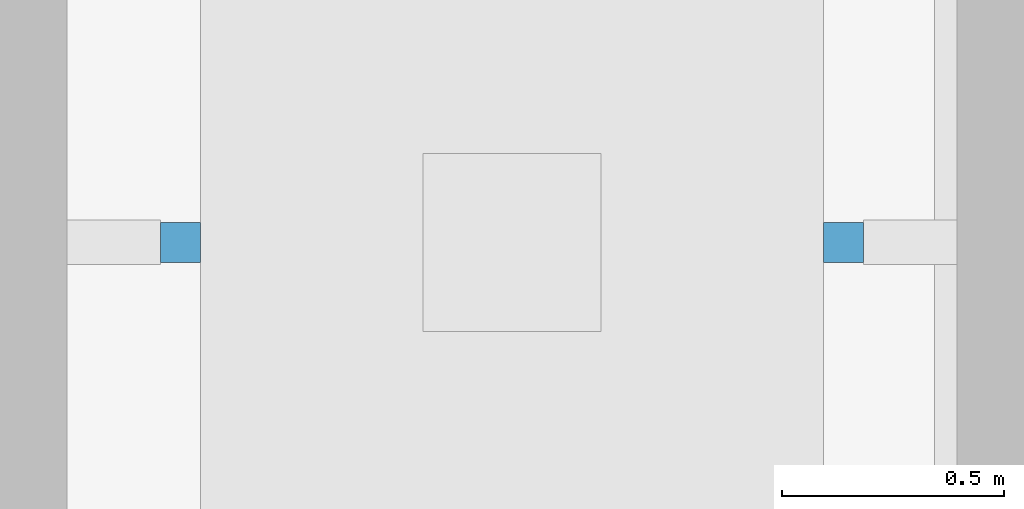
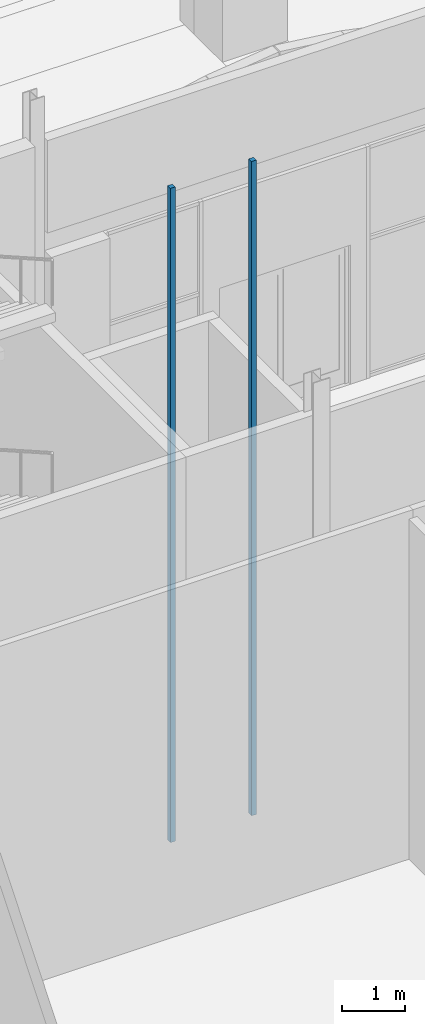
# One storey, part 156 of 250: 2 discrete accessories.
"""IFC4 building model written with IfcOpenShell, lengths in metres."""

from ifc_helpers import new_model, si_unit, direction, frame, origin, origin_2d, place, context, subcontext, project, spatial, rectangle, extrude, material, type_object, element, save


model = new_model("IFC4")

# Units and contexts
model_context = context("Model", 3, precision=1e-05, world=origin(), true_north=direction((0.0, 1.0)))
body_context = subcontext(model_context, "Body", "Model", "MODEL_VIEW")
ifc_project = project(units=[si_unit("LENGTHUNIT", "METRE"), si_unit("AREAUNIT", "SQUARE_METRE"), si_unit("VOLUMEUNIT", "CUBIC_METRE"), si_unit("PLANEANGLEUNIT", "RADIAN"), si_unit("MASSUNIT", "GRAM", prefix="KILO")], contexts=[model_context])

# Site, building, storey
site_placement = place(None, origin())
site = spatial("IfcSite", under=ifc_project, at=site_placement, CompositionType="ELEMENT")
building_placement = place(site_placement, origin())
building = spatial("IfcBuilding", under=site, at=building_placement, Name="Baradari Gate Terminus", CompositionType="ELEMENT")
storey_placement = place(building_placement, origin())
storey = spatial("IfcBuildingStorey", under=building, at=storey_placement, Name="L00", CompositionType="ELEMENT", Elevation=0.0)

# Discrete accessories
ifc_material = material(Name="Steel S355", Category="steel")
discrete_accessory_type = type_object("IfcDiscreteAccessoryType", Name="Lift guide rail GR-L1 90x90", PredefinedType="BRACKET", material=ifc_material)
for number, where, z_axis, x_axis, name in (
    (1, (187.054931640625, 100.25, -1.60009765625), (0.0, 0.0, 1.0), (1.0, 0.0, 0.0), "Lift guide rail LH3 1"),
    (2, (188.544921875, 100.25, -1.60009765625), (0.0, 0.0, 1.0), (1.0, 0.0, 0.0), "Lift guide rail LH3 2"),
):
    element("IfcDiscreteAccessory", number, at=place(storey_placement, frame(where, z_axis=z_axis, x_axis=x_axis)), inside=storey, type_object=discrete_accessory_type, Name=name, PredefinedType="BRACKET", context=body_context, shape_type="SweptSolid", body=[
        extrude(rectangle(XDim=0.090087890625, YDim=0.090087890625, at=origin_2d()), origin(), (0.0, 0.0, 1.0), 12.699951171875),
    ])

save(model, "model.ifc")
